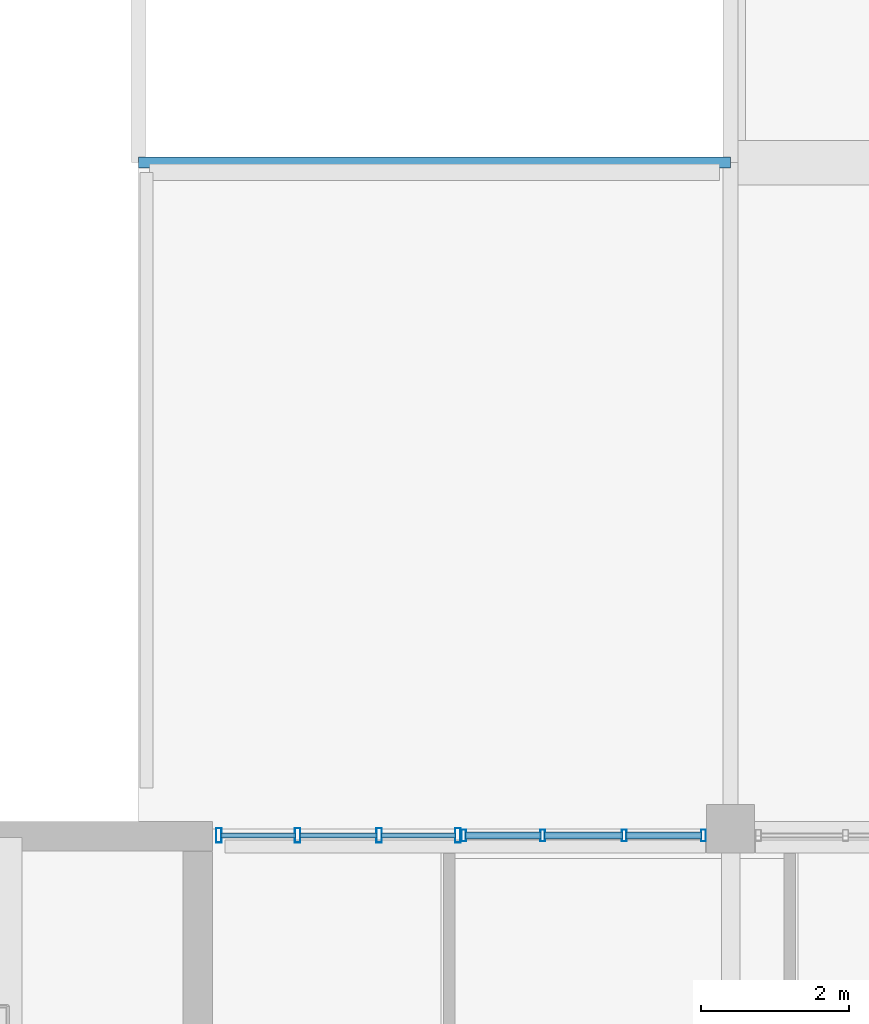
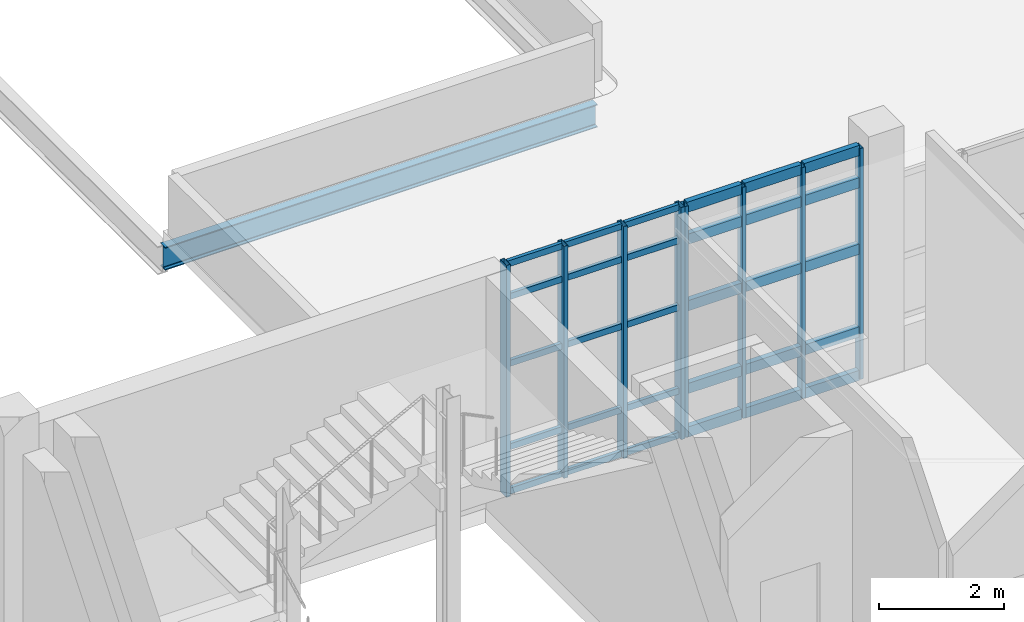
# One storey, part 66 of 127: 38 members, 1 beam, 2 elements without a shape of their own.
"""IFC4 building model written with IfcOpenShell, lengths in metres."""

from ifc_helpers import new_model, si_unit, derived_unit, direction, frame, origin, origin_2d, place, context, subcontext, project, spatial, hollow_rectangle, i_section, extrude, material, layer, layer_set, material_profile, profile_set, type_object, element, aggregate, save


model = new_model("IFC4")

# Units and contexts
model_context = context("Model", 3, precision=1e-05, world=origin(), true_north=direction((0.0, 1.0)))
body_context = subcontext(model_context, "Body", "Model", "MODEL_VIEW")
ifc_project = project(units=[si_unit("LENGTHUNIT", "METRE"), si_unit("AREAUNIT", "SQUARE_METRE"), si_unit("VOLUMEUNIT", "CUBIC_METRE"), si_unit("PLANEANGLEUNIT", "RADIAN"), si_unit("MASSUNIT", "GRAM", prefix="KILO"), derived_unit("THERMALTRANSMITTANCEUNIT", [(si_unit("POWERUNIT", "WATT"), 1), (si_unit("LENGTHUNIT", "METRE"), -2), (si_unit("THERMODYNAMICTEMPERATUREUNIT", "KELVIN"), -1)])], contexts=[model_context])

# Site, building, storey
site_placement = place(None, origin())
site = spatial("IfcSite", under=ifc_project, at=site_placement, CompositionType="ELEMENT")
building_placement = place(site_placement, origin())
building = spatial("IfcBuilding", under=site, at=building_placement, Name="Nallur Shell Playhouse", CompositionType="ELEMENT")
storey_placement = place(building_placement, frame((0.0, 0.0, 5.39990234375)))
storey = spatial("IfcBuildingStorey", under=building, at=storey_placement, Name="L02", CompositionType="ELEMENT", Elevation=5.39990234375)

# Beam
ifc_material_1 = material(Name="Steel E350", Category="steel")
ifc_material_profile_1 = material_profile(ifc_material_1, i_section(OverallWidth=0.14990234375, OverallDepth=0.449951171875, WebThickness=0.009521484375, FlangeThickness=0.017333984375, FilletRadius=0.014892578125, at=origin_2d()), Name="ISMB 450")
ifc_profile_set_1 = profile_set([ifc_material_profile_1], Name="Steel E350")
beam_type = type_object("IfcBeamType", Name="BM-ST-ISMB450", PredefinedType="BEAM", material=ifc_profile_set_1)
beam_placement = place(storey_placement, frame((32.0, 92.0, -0.5048828125), z_axis=(1.0, 0.0, 0.0), x_axis=(0.0, 1.0, 0.0)))
element("IfcBeam", 1, at=beam_placement, inside=storey, type_object=beam_type, Name="L02 girder X-L-379", PredefinedType="BEAM", context=body_context, shape_type="SweptSolid", body=[
    extrude(i_section(OverallWidth=0.14990234375, OverallDepth=0.449951171875, WebThickness=0.009521484375, FlangeThickness=0.017333984375, FilletRadius=0.014892578125, at=origin_2d()), origin(), (0.0, 0.0, 1.0), 8.0),
])

# Curtain wall, members
ifc_material_2 = material(Name="Anodised Aluminium Double-Glazed Facade System", Category="aluminium")
ifc_layer_1 = layer(ifc_material_2, 0.176025390625)
ifc_layer_set_1 = layer_set([ifc_layer_1], Name="Anodised Aluminium Double-Glazed Facade System")
curtain_wall_type_1 = type_object("IfcCurtainWallType", Name="CW-UNIT-22", PredefinedType="NOTDEFINED", material=ifc_layer_set_1)
curtain_wall_1_placement = place(storey_placement, origin())
curtain_wall_1 = element("IfcCurtainWall", 2, at=curtain_wall_1_placement, inside=storey, type_object=curtain_wall_type_1, Name="Unitised curtain wall CW-022 (L02)", PredefinedType="NOTDEFINED")
ifc_material_3 = material(Name="Aluminium Alloy 6063-T6 Mullion", Category="aluminium")
ifc_material_profile_2 = material_profile(ifc_material_3, hollow_rectangle(XDim=0.06494140625, YDim=0.159912109375, WallThickness=0.00390625, at=origin_2d()), Name="ALU 65x160x4")
ifc_profile_set_2 = profile_set([ifc_material_profile_2], Name="Aluminium Alloy 6063-T6 Mullion")
member_type_1 = type_object("IfcMemberType", Name="MB-CW-MUL160", PredefinedType="MULLION", material=ifc_profile_set_2)
member_1_placement = place(storey_placement, frame((36.39599609375, 82.909912109375, -0.014892578125), z_axis=(0.0, 0.0, 1.0), x_axis=(1.0, 0.0, 0.0)))
member_1 = element("IfcMember", 3, at=member_1_placement, type_object=member_type_1, Name="CW-22 mullion 1", PredefinedType="MULLION", context=body_context, shape_type="SweptSolid", body=[
    extrude(hollow_rectangle(XDim=0.06494140625, YDim=0.159912109375, WallThickness=0.00390625, at=origin_2d()), origin(), (0.0, 0.0, 1.0), 4.51904296875),
])
member_2_placement = place(storey_placement, frame((37.464599609375, 82.909912109375, -0.014892578125), z_axis=(0.0, 0.0, 1.0), x_axis=(1.0, 0.0, 0.0)))
member_2 = element("IfcMember", 4, at=member_2_placement, type_object=member_type_1, Name="CW-22 mullion 2", PredefinedType="MULLION", context=body_context, shape_type="SweptSolid", body=[
    extrude(hollow_rectangle(XDim=0.06494140625, YDim=0.159912109375, WallThickness=0.00390625, at=origin_2d()), origin(), (0.0, 0.0, 1.0), 4.51904296875),
])
member_3_placement = place(storey_placement, frame((38.56591796875, 82.909912109375, -0.014892578125), z_axis=(0.0, 0.0, 1.0), x_axis=(1.0, 0.0, 0.0)))
member_3 = element("IfcMember", 5, at=member_3_placement, type_object=member_type_1, Name="CW-22 mullion 3", PredefinedType="MULLION", context=body_context, shape_type="SweptSolid", body=[
    extrude(hollow_rectangle(XDim=0.06494140625, YDim=0.159912109375, WallThickness=0.00390625, at=origin_2d()), origin(), (0.0, 0.0, 1.0), 4.51904296875),
])
member_4_placement = place(storey_placement, frame((39.634521484375, 82.909912109375, -0.014892578125), z_axis=(0.0, 0.0, 1.0), x_axis=(1.0, 0.0, 0.0)))
member_4 = element("IfcMember", 6, at=member_4_placement, type_object=member_type_1, Name="CW-22 mullion 4", PredefinedType="MULLION", context=body_context, shape_type="SweptSolid", body=[
    extrude(hollow_rectangle(XDim=0.06494140625, YDim=0.159912109375, WallThickness=0.00390625, at=origin_2d()), origin(), (0.0, 0.0, 1.0), 4.51904296875),
])

ifc_layer_2 = layer(ifc_material_2, 0.172119140625)
ifc_layer_set_2 = layer_set([ifc_layer_2], Name="Anodised Aluminium Double-Glazed Facade System")
curtain_wall_type_2 = type_object("IfcCurtainWallType", Name="CW-UNIT-21", PredefinedType="NOTDEFINED", material=ifc_layer_set_2)
curtain_wall_2_placement = place(storey_placement, origin())
curtain_wall_2 = element("IfcCurtainWall", 7, at=curtain_wall_2_placement, inside=storey, type_object=curtain_wall_type_2, Name="Unitised curtain wall CW-021 (L02)", PredefinedType="NOTDEFINED")
ifc_material_profile_3 = material_profile(ifc_material_3, hollow_rectangle(XDim=0.074951171875, YDim=0.199951171875, WallThickness=0.0048828125, at=origin_2d()), Name="ALU 75x200x5")
ifc_profile_set_3 = profile_set([ifc_material_profile_3], Name="Aluminium Alloy 6063-T6 Mullion")
member_type_2 = type_object("IfcMemberType", Name="MB-CW-MUL180", PredefinedType="MULLION", material=ifc_profile_set_3)
member_5_placement = place(storey_placement, frame((33.08740234375, 82.909912109375, -0.014892578125), z_axis=(0.0, 0.0, 1.0), x_axis=(1.0, 0.0, 0.0)))
member_5 = element("IfcMember", 8, at=member_5_placement, type_object=member_type_2, Name="CW-21 mullion 1", PredefinedType="MULLION", context=body_context, shape_type="SweptSolid", body=[
    extrude(hollow_rectangle(XDim=0.074951171875, YDim=0.199951171875, WallThickness=0.0048828125, at=origin_2d()), origin(), (0.0, 0.0, 1.0), 4.5390625),
])
member_6_placement = place(storey_placement, frame((34.151123046875, 82.909912109375, -0.014892578125), z_axis=(0.0, 0.0, 1.0), x_axis=(1.0, 0.0, 0.0)))
member_6 = element("IfcMember", 9, at=member_6_placement, type_object=member_type_2, Name="CW-21 mullion 2", PredefinedType="MULLION", context=body_context, shape_type="SweptSolid", body=[
    extrude(hollow_rectangle(XDim=0.074951171875, YDim=0.199951171875, WallThickness=0.0048828125, at=origin_2d()), origin(), (0.0, 0.0, 1.0), 4.5390625),
])
member_7_placement = place(storey_placement, frame((35.25244140625, 82.909912109375, -0.014892578125), z_axis=(0.0, 0.0, 1.0), x_axis=(1.0, 0.0, 0.0)))
member_7 = element("IfcMember", 10, at=member_7_placement, type_object=member_type_2, Name="CW-21 mullion 3", PredefinedType="MULLION", context=body_context, shape_type="SweptSolid", body=[
    extrude(hollow_rectangle(XDim=0.074951171875, YDim=0.199951171875, WallThickness=0.0048828125, at=origin_2d()), origin(), (0.0, 0.0, 1.0), 4.5390625),
])
member_8_placement = place(storey_placement, frame((36.31591796875, 82.909912109375, -0.014892578125), z_axis=(0.0, 0.0, 1.0), x_axis=(1.0, 0.0, 0.0)))
member_8 = element("IfcMember", 11, at=member_8_placement, type_object=member_type_2, Name="CW-21 mullion 4", PredefinedType="MULLION", context=body_context, shape_type="SweptSolid", body=[
    extrude(hollow_rectangle(XDim=0.074951171875, YDim=0.199951171875, WallThickness=0.0048828125, at=origin_2d()), origin(), (0.0, 0.0, 1.0), 4.5390625),
])
ifc_material_4 = material(Name="Aluminium Alloy 6063-T6 Transom", Category="aluminium")
ifc_material_profile_4 = material_profile(ifc_material_4, hollow_rectangle(XDim=0.06494140625, YDim=0.1201171875, WallThickness=0.00390625, at=origin_2d()), Name="ALU 65x120x4")
ifc_profile_set_4 = profile_set([ifc_material_profile_4], Name="Aluminium Alloy 6063-T6 Transom")
member_type_3 = type_object("IfcMemberType", Name="MB-CW-TRN120", PredefinedType="USERDEFINED", material=ifc_profile_set_4)
member_9_placement = place(storey_placement, frame((33.116943359375, 82.909912109375, 0.03271484375), z_axis=(1.0, 0.0, 0.0), x_axis=(0.0, 1.0, 0.0)))
member_9 = element("IfcMember", 12, at=member_9_placement, type_object=member_type_3, Name="CW-21 transom 1.1", ObjectType="TRANSOM", PredefinedType="USERDEFINED", context=body_context, shape_type="SweptSolid", body=[
    extrude(hollow_rectangle(XDim=0.06494140625, YDim=0.1201171875, WallThickness=0.00390625, at=origin_2d()), origin(), (0.0, 0.0, 1.0), 1.004638671875),
])
member_10_placement = place(storey_placement, frame((33.116943359375, 82.909912109375, 0.900146484375), z_axis=(1.0, 0.0, 0.0), x_axis=(0.0, 1.0, 0.0)))
member_10 = element("IfcMember", 13, at=member_10_placement, type_object=member_type_3, Name="CW-21 transom 1.2", ObjectType="TRANSOM", PredefinedType="USERDEFINED", context=body_context, shape_type="SweptSolid", body=[
    extrude(hollow_rectangle(XDim=0.06494140625, YDim=0.1201171875, WallThickness=0.00390625, at=origin_2d()), origin(), (0.0, 0.0, 1.0), 1.004638671875),
])
member_11_placement = place(storey_placement, frame((33.116943359375, 82.909912109375, 2.531005859375), z_axis=(1.0, 0.0, 0.0), x_axis=(0.0, 1.0, 0.0)))
member_11 = element("IfcMember", 14, at=member_11_placement, type_object=member_type_3, Name="CW-21 transom 1.3", ObjectType="TRANSOM", PredefinedType="USERDEFINED", context=body_context, shape_type="SweptSolid", body=[
    extrude(hollow_rectangle(XDim=0.06494140625, YDim=0.1201171875, WallThickness=0.00390625, at=origin_2d()), origin(), (0.0, 0.0, 1.0), 1.004638671875),
])
member_12_placement = place(storey_placement, frame((33.116943359375, 82.909912109375, 3.840087890625), z_axis=(1.0, 0.0, 0.0), x_axis=(0.0, 1.0, 0.0)))
member_12 = element("IfcMember", 15, at=member_12_placement, type_object=member_type_3, Name="CW-21 transom 1.4", ObjectType="TRANSOM", PredefinedType="USERDEFINED", context=body_context, shape_type="SweptSolid", body=[
    extrude(hollow_rectangle(XDim=0.06494140625, YDim=0.1201171875, WallThickness=0.00390625, at=origin_2d()), origin(), (0.0, 0.0, 1.0), 1.004638671875),
])
member_13_placement = place(storey_placement, frame((33.116943359375, 82.909912109375, 4.487548828125), z_axis=(1.0, 0.0, 0.0), x_axis=(0.0, 1.0, 0.0)))
member_13 = element("IfcMember", 16, at=member_13_placement, type_object=member_type_3, Name="CW-21 transom 1.5", ObjectType="TRANSOM", PredefinedType="USERDEFINED", context=body_context, shape_type="SweptSolid", body=[
    extrude(hollow_rectangle(XDim=0.06494140625, YDim=0.1201171875, WallThickness=0.00390625, at=origin_2d()), origin(), (0.0, 0.0, 1.0), 1.004638671875),
])
member_14_placement = place(storey_placement, frame((34.1806640625, 82.909912109375, 0.03271484375), z_axis=(1.0, 0.0, 0.0), x_axis=(0.0, 1.0, 0.0)))
member_14 = element("IfcMember", 17, at=member_14_placement, type_object=member_type_3, Name="CW-21 transom 2.1", ObjectType="TRANSOM", PredefinedType="USERDEFINED", context=body_context, shape_type="SweptSolid", body=[
    extrude(hollow_rectangle(XDim=0.06494140625, YDim=0.1201171875, WallThickness=0.00390625, at=origin_2d()), origin(), (0.0, 0.0, 1.0), 1.042236328125),
])
member_15_placement = place(storey_placement, frame((34.1806640625, 82.909912109375, 0.900146484375), z_axis=(1.0, 0.0, 0.0), x_axis=(0.0, 1.0, 0.0)))
member_15 = element("IfcMember", 18, at=member_15_placement, type_object=member_type_3, Name="CW-21 transom 2.2", ObjectType="TRANSOM", PredefinedType="USERDEFINED", context=body_context, shape_type="SweptSolid", body=[
    extrude(hollow_rectangle(XDim=0.06494140625, YDim=0.1201171875, WallThickness=0.00390625, at=origin_2d()), origin(), (0.0, 0.0, 1.0), 1.042236328125),
])
member_16_placement = place(storey_placement, frame((34.1806640625, 82.909912109375, 2.531005859375), z_axis=(1.0, 0.0, 0.0), x_axis=(0.0, 1.0, 0.0)))
member_16 = element("IfcMember", 19, at=member_16_placement, type_object=member_type_3, Name="CW-21 transom 2.3", ObjectType="TRANSOM", PredefinedType="USERDEFINED", context=body_context, shape_type="SweptSolid", body=[
    extrude(hollow_rectangle(XDim=0.06494140625, YDim=0.1201171875, WallThickness=0.00390625, at=origin_2d()), origin(), (0.0, 0.0, 1.0), 1.042236328125),
])
member_17_placement = place(storey_placement, frame((34.1806640625, 82.909912109375, 3.840087890625), z_axis=(1.0, 0.0, 0.0), x_axis=(0.0, 1.0, 0.0)))
member_17 = element("IfcMember", 20, at=member_17_placement, type_object=member_type_3, Name="CW-21 transom 2.4", ObjectType="TRANSOM", PredefinedType="USERDEFINED", context=body_context, shape_type="SweptSolid", body=[
    extrude(hollow_rectangle(XDim=0.06494140625, YDim=0.1201171875, WallThickness=0.00390625, at=origin_2d()), origin(), (0.0, 0.0, 1.0), 1.042236328125),
])
member_18_placement = place(storey_placement, frame((34.1806640625, 82.909912109375, 4.487548828125), z_axis=(1.0, 0.0, 0.0), x_axis=(0.0, 1.0, 0.0)))
member_18 = element("IfcMember", 21, at=member_18_placement, type_object=member_type_3, Name="CW-21 transom 2.5", ObjectType="TRANSOM", PredefinedType="USERDEFINED", context=body_context, shape_type="SweptSolid", body=[
    extrude(hollow_rectangle(XDim=0.06494140625, YDim=0.1201171875, WallThickness=0.00390625, at=origin_2d()), origin(), (0.0, 0.0, 1.0), 1.042236328125),
])
member_19_placement = place(storey_placement, frame((35.28173828125, 82.909912109375, 0.03271484375), z_axis=(1.0, 0.0, 0.0), x_axis=(0.0, 1.0, 0.0)))
member_19 = element("IfcMember", 22, at=member_19_placement, type_object=member_type_3, Name="CW-21 transom 3.1", ObjectType="TRANSOM", PredefinedType="USERDEFINED", context=body_context, shape_type="SweptSolid", body=[
    extrude(hollow_rectangle(XDim=0.06494140625, YDim=0.1201171875, WallThickness=0.00390625, at=origin_2d()), origin(), (0.0, 0.0, 1.0), 1.0048828125),
])
member_20_placement = place(storey_placement, frame((35.28173828125, 82.909912109375, 0.900146484375), z_axis=(1.0, 0.0, 0.0), x_axis=(0.0, 1.0, 0.0)))
member_20 = element("IfcMember", 23, at=member_20_placement, type_object=member_type_3, Name="CW-21 transom 3.2", ObjectType="TRANSOM", PredefinedType="USERDEFINED", context=body_context, shape_type="SweptSolid", body=[
    extrude(hollow_rectangle(XDim=0.06494140625, YDim=0.1201171875, WallThickness=0.00390625, at=origin_2d()), origin(), (0.0, 0.0, 1.0), 1.0048828125),
])
member_21_placement = place(storey_placement, frame((35.28173828125, 82.909912109375, 2.531005859375), z_axis=(1.0, 0.0, 0.0), x_axis=(0.0, 1.0, 0.0)))
member_21 = element("IfcMember", 24, at=member_21_placement, type_object=member_type_3, Name="CW-21 transom 3.3", ObjectType="TRANSOM", PredefinedType="USERDEFINED", context=body_context, shape_type="SweptSolid", body=[
    extrude(hollow_rectangle(XDim=0.06494140625, YDim=0.1201171875, WallThickness=0.00390625, at=origin_2d()), origin(), (0.0, 0.0, 1.0), 1.0048828125),
])
member_22_placement = place(storey_placement, frame((35.28173828125, 82.909912109375, 3.840087890625), z_axis=(1.0, 0.0, 0.0), x_axis=(0.0, 1.0, 0.0)))
member_22 = element("IfcMember", 25, at=member_22_placement, type_object=member_type_3, Name="CW-21 transom 3.4", ObjectType="TRANSOM", PredefinedType="USERDEFINED", context=body_context, shape_type="SweptSolid", body=[
    extrude(hollow_rectangle(XDim=0.06494140625, YDim=0.1201171875, WallThickness=0.00390625, at=origin_2d()), origin(), (0.0, 0.0, 1.0), 1.0048828125),
])
member_23_placement = place(storey_placement, frame((35.28173828125, 82.909912109375, 4.487548828125), z_axis=(1.0, 0.0, 0.0), x_axis=(0.0, 1.0, 0.0)))
member_23 = element("IfcMember", 26, at=member_23_placement, type_object=member_type_3, Name="CW-21 transom 3.5", ObjectType="TRANSOM", PredefinedType="USERDEFINED", context=body_context, shape_type="SweptSolid", body=[
    extrude(hollow_rectangle(XDim=0.06494140625, YDim=0.1201171875, WallThickness=0.00390625, at=origin_2d()), origin(), (0.0, 0.0, 1.0), 1.0048828125),
])
aggregate(curtain_wall_2, [member_5, member_6, member_7, member_8, member_9, member_10, member_11, member_12, member_13, member_14, member_15, member_16, member_17, member_18, member_19, member_20, member_21, member_22, member_23])

# Member
ifc_material_profile_5 = material_profile(ifc_material_4, hollow_rectangle(XDim=0.10009765625, YDim=0.199951171875, WallThickness=0.008056640625, at=origin_2d()), Name="RHS 200x100x8")
ifc_profile_set_5 = profile_set([ifc_material_profile_5], Name="Aluminium Alloy 6063-T6 Transom")
member_type_4 = type_object("IfcMemberType", Name="MB-CW-TRN140", PredefinedType="USERDEFINED", material=ifc_profile_set_5)
member_24_placement = place(storey_placement, frame((36.42041015625, 82.909912109375, 0.050048828125), z_axis=(1.0, 0.0, 0.0), x_axis=(0.0, 1.0, 0.0)))
member_24 = element("IfcMember", 27, at=member_24_placement, type_object=member_type_4, Name="CW-22 transom 1.1", ObjectType="TRANSOM", PredefinedType="USERDEFINED", context=body_context, shape_type="SweptSolid", body=[
    extrude(hollow_rectangle(XDim=0.10009765625, YDim=0.199951171875, WallThickness=0.008056640625, at=origin_2d()), origin(), (0.0, 0.0, 1.0), 1.019775390625),
])

member_25_placement = place(storey_placement, frame((36.42041015625, 82.909912109375, 0.900146484375), z_axis=(1.0, 0.0, 0.0), x_axis=(0.0, 1.0, 0.0)))
member_25 = element("IfcMember", 28, at=member_25_placement, type_object=member_type_4, Name="CW-22 transom 1.2", ObjectType="TRANSOM", PredefinedType="USERDEFINED", context=body_context, shape_type="SweptSolid", body=[
    extrude(hollow_rectangle(XDim=0.10009765625, YDim=0.199951171875, WallThickness=0.008056640625, at=origin_2d()), origin(), (0.0, 0.0, 1.0), 1.019775390625),
])

member_26_placement = place(storey_placement, frame((36.42041015625, 82.909912109375, 2.52001953125), z_axis=(1.0, 0.0, 0.0), x_axis=(0.0, 1.0, 0.0)))
member_26 = element("IfcMember", 29, at=member_26_placement, type_object=member_type_4, Name="CW-22 transom 1.3", ObjectType="TRANSOM", PredefinedType="USERDEFINED", context=body_context, shape_type="SweptSolid", body=[
    extrude(hollow_rectangle(XDim=0.10009765625, YDim=0.199951171875, WallThickness=0.008056640625, at=origin_2d()), origin(), (0.0, 0.0, 1.0), 1.019775390625),
])

member_27_placement = place(storey_placement, frame((36.42041015625, 82.909912109375, 3.820068359375), z_axis=(1.0, 0.0, 0.0), x_axis=(0.0, 1.0, 0.0)))
member_27 = element("IfcMember", 30, at=member_27_placement, type_object=member_type_4, Name="CW-22 transom 1.4", ObjectType="TRANSOM", PredefinedType="USERDEFINED", context=body_context, shape_type="SweptSolid", body=[
    extrude(hollow_rectangle(XDim=0.10009765625, YDim=0.199951171875, WallThickness=0.008056640625, at=origin_2d()), origin(), (0.0, 0.0, 1.0), 1.019775390625),
])

member_28_placement = place(storey_placement, frame((36.42041015625, 82.909912109375, 4.4501953125), z_axis=(1.0, 0.0, 0.0), x_axis=(0.0, 1.0, 0.0)))
member_28 = element("IfcMember", 31, at=member_28_placement, type_object=member_type_4, Name="CW-22 transom 1.5", ObjectType="TRANSOM", PredefinedType="USERDEFINED", context=body_context, shape_type="SweptSolid", body=[
    extrude(hollow_rectangle(XDim=0.10009765625, YDim=0.199951171875, WallThickness=0.008056640625, at=origin_2d()), origin(), (0.0, 0.0, 1.0), 1.019775390625),
])

member_29_placement = place(storey_placement, frame((37.4892578125, 82.909912109375, 0.050048828125), z_axis=(1.0, 0.0, 0.0), x_axis=(0.0, 1.0, 0.0)))
member_29 = element("IfcMember", 32, at=member_29_placement, type_object=member_type_4, Name="CW-22 transom 2.1", ObjectType="TRANSOM", PredefinedType="USERDEFINED", context=body_context, shape_type="SweptSolid", body=[
    extrude(hollow_rectangle(XDim=0.10009765625, YDim=0.199951171875, WallThickness=0.008056640625, at=origin_2d()), origin(), (0.0, 0.0, 1.0), 1.052001953125),
])

member_30_placement = place(storey_placement, frame((37.4892578125, 82.909912109375, 0.900146484375), z_axis=(1.0, 0.0, 0.0), x_axis=(0.0, 1.0, 0.0)))
member_30 = element("IfcMember", 33, at=member_30_placement, type_object=member_type_4, Name="CW-22 transom 2.2", ObjectType="TRANSOM", PredefinedType="USERDEFINED", context=body_context, shape_type="SweptSolid", body=[
    extrude(hollow_rectangle(XDim=0.10009765625, YDim=0.199951171875, WallThickness=0.008056640625, at=origin_2d()), origin(), (0.0, 0.0, 1.0), 1.052001953125),
])

member_31_placement = place(storey_placement, frame((37.4892578125, 82.909912109375, 2.52001953125), z_axis=(1.0, 0.0, 0.0), x_axis=(0.0, 1.0, 0.0)))
member_31 = element("IfcMember", 34, at=member_31_placement, type_object=member_type_4, Name="CW-22 transom 2.3", ObjectType="TRANSOM", PredefinedType="USERDEFINED", context=body_context, shape_type="SweptSolid", body=[
    extrude(hollow_rectangle(XDim=0.10009765625, YDim=0.199951171875, WallThickness=0.008056640625, at=origin_2d()), origin(), (0.0, 0.0, 1.0), 1.052001953125),
])

member_32_placement = place(storey_placement, frame((37.4892578125, 82.909912109375, 3.820068359375), z_axis=(1.0, 0.0, 0.0), x_axis=(0.0, 1.0, 0.0)))
member_32 = element("IfcMember", 35, at=member_32_placement, type_object=member_type_4, Name="CW-22 transom 2.4", ObjectType="TRANSOM", PredefinedType="USERDEFINED", context=body_context, shape_type="SweptSolid", body=[
    extrude(hollow_rectangle(XDim=0.10009765625, YDim=0.199951171875, WallThickness=0.008056640625, at=origin_2d()), origin(), (0.0, 0.0, 1.0), 1.052001953125),
])

member_33_placement = place(storey_placement, frame((37.4892578125, 82.909912109375, 4.4501953125), z_axis=(1.0, 0.0, 0.0), x_axis=(0.0, 1.0, 0.0)))
member_33 = element("IfcMember", 36, at=member_33_placement, type_object=member_type_4, Name="CW-22 transom 2.5", ObjectType="TRANSOM", PredefinedType="USERDEFINED", context=body_context, shape_type="SweptSolid", body=[
    extrude(hollow_rectangle(XDim=0.10009765625, YDim=0.199951171875, WallThickness=0.008056640625, at=origin_2d()), origin(), (0.0, 0.0, 1.0), 1.052001953125),
])

member_34_placement = place(storey_placement, frame((38.59033203125, 82.909912109375, 0.050048828125), z_axis=(1.0, 0.0, 0.0), x_axis=(0.0, 1.0, 0.0)))
member_34 = element("IfcMember", 37, at=member_34_placement, type_object=member_type_4, Name="CW-22 transom 3.1", ObjectType="TRANSOM", PredefinedType="USERDEFINED", context=body_context, shape_type="SweptSolid", body=[
    extrude(hollow_rectangle(XDim=0.10009765625, YDim=0.199951171875, WallThickness=0.008056640625, at=origin_2d()), origin(), (0.0, 0.0, 1.0), 1.019775390625),
])

member_35_placement = place(storey_placement, frame((38.59033203125, 82.909912109375, 0.900146484375), z_axis=(1.0, 0.0, 0.0), x_axis=(0.0, 1.0, 0.0)))
member_35 = element("IfcMember", 38, at=member_35_placement, type_object=member_type_4, Name="CW-22 transom 3.2", ObjectType="TRANSOM", PredefinedType="USERDEFINED", context=body_context, shape_type="SweptSolid", body=[
    extrude(hollow_rectangle(XDim=0.10009765625, YDim=0.199951171875, WallThickness=0.008056640625, at=origin_2d()), origin(), (0.0, 0.0, 1.0), 1.019775390625),
])

member_36_placement = place(storey_placement, frame((38.59033203125, 82.909912109375, 2.52001953125), z_axis=(1.0, 0.0, 0.0), x_axis=(0.0, 1.0, 0.0)))
member_36 = element("IfcMember", 39, at=member_36_placement, type_object=member_type_4, Name="CW-22 transom 3.3", ObjectType="TRANSOM", PredefinedType="USERDEFINED", context=body_context, shape_type="SweptSolid", body=[
    extrude(hollow_rectangle(XDim=0.10009765625, YDim=0.199951171875, WallThickness=0.008056640625, at=origin_2d()), origin(), (0.0, 0.0, 1.0), 1.019775390625),
])

member_37_placement = place(storey_placement, frame((38.59033203125, 82.909912109375, 3.820068359375), z_axis=(1.0, 0.0, 0.0), x_axis=(0.0, 1.0, 0.0)))
member_37 = element("IfcMember", 40, at=member_37_placement, type_object=member_type_4, Name="CW-22 transom 3.4", ObjectType="TRANSOM", PredefinedType="USERDEFINED", context=body_context, shape_type="SweptSolid", body=[
    extrude(hollow_rectangle(XDim=0.10009765625, YDim=0.199951171875, WallThickness=0.008056640625, at=origin_2d()), origin(), (0.0, 0.0, 1.0), 1.019775390625),
])

member_38_placement = place(storey_placement, frame((38.59033203125, 82.909912109375, 4.4501953125), z_axis=(1.0, 0.0, 0.0), x_axis=(0.0, 1.0, 0.0)))
member_38 = element("IfcMember", 41, at=member_38_placement, type_object=member_type_4, Name="CW-22 transom 3.5", ObjectType="TRANSOM", PredefinedType="USERDEFINED", context=body_context, shape_type="SweptSolid", body=[
    extrude(hollow_rectangle(XDim=0.10009765625, YDim=0.199951171875, WallThickness=0.008056640625, at=origin_2d()), origin(), (0.0, 0.0, 1.0), 1.019775390625),
])

aggregate(curtain_wall_1, [member_1, member_2, member_3, member_4, member_24, member_25, member_26, member_27, member_28, member_29, member_30, member_31, member_32, member_33, member_34, member_35, member_36, member_37, member_38])

save(model, "model.ifc")
